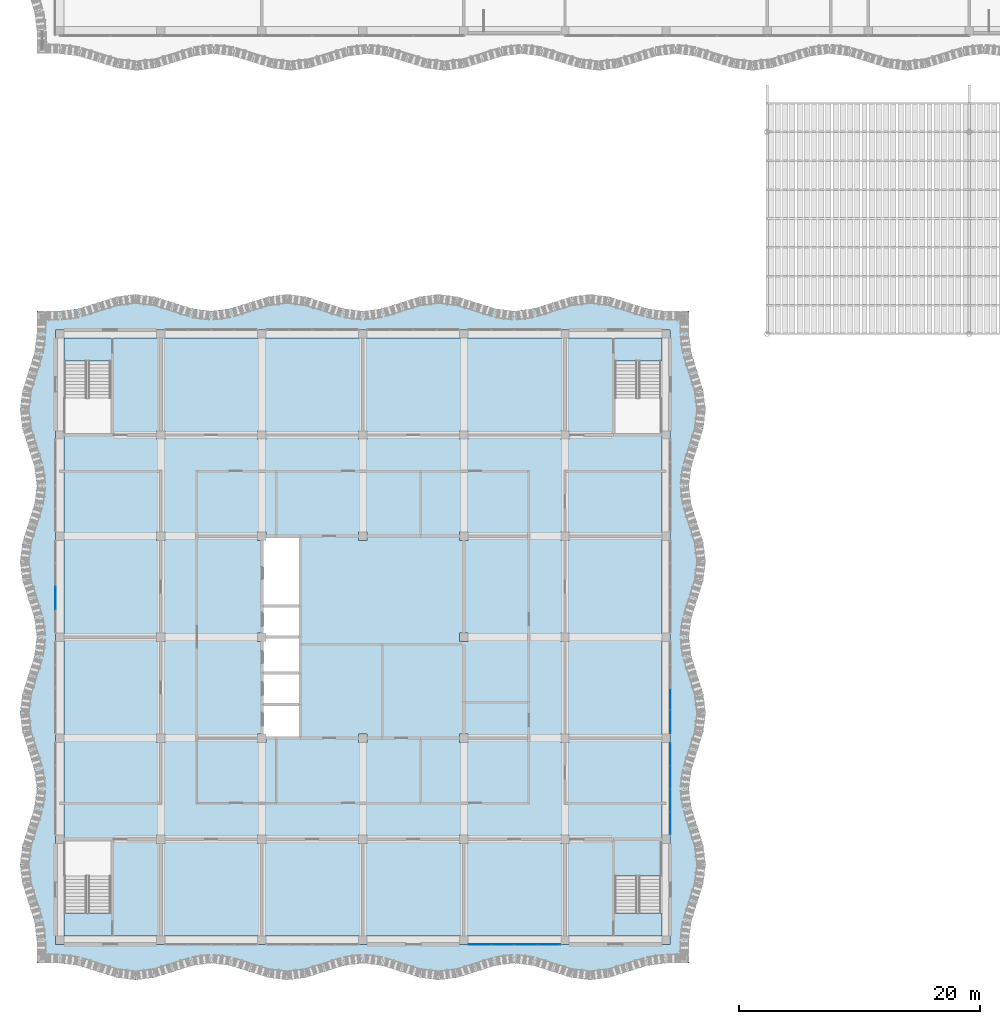
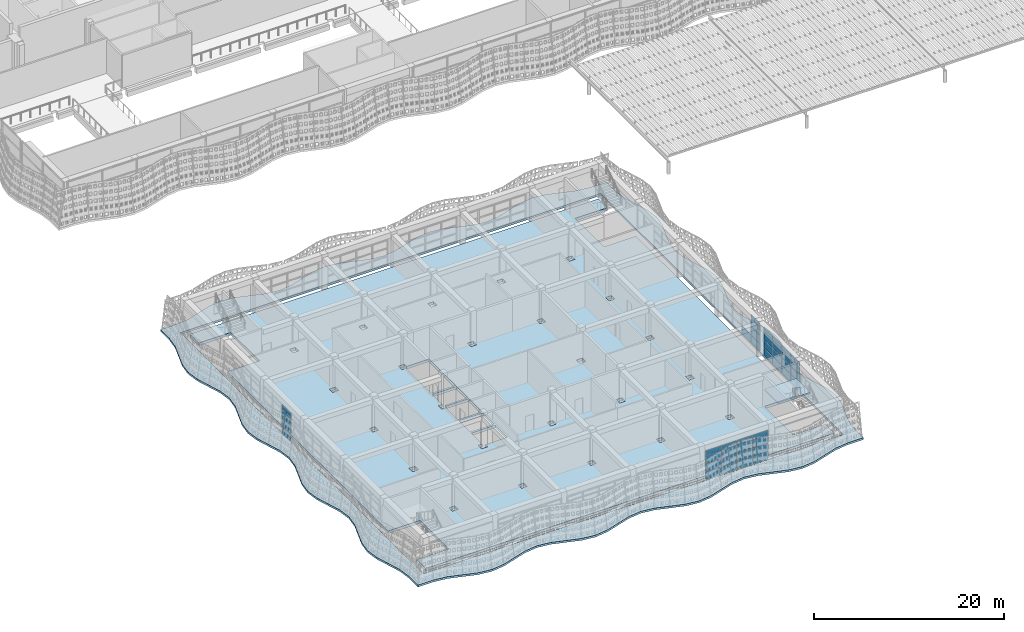
# One storey, part 62 of 162: 41 plates, 3 slabs, 5 elements without a shape of their own.
"""IFC4 building model written with IfcOpenShell, lengths in metres."""

from ifc_helpers import new_model, si_unit, direction, frame, origin, origin_2d, place, context, subcontext, project, spatial, polyline, rectangle, outline, extrude, material, layer, layer_set, type_object, element, aggregate, save


model = new_model("IFC4")

# Units and contexts
model_context = context("Model", 3, precision=1e-05, world=origin(), true_north=direction((0.0, 1.0)))
body_context = subcontext(model_context, "Body", "Model", "MODEL_VIEW")
ifc_project = project(units=[si_unit("LENGTHUNIT", "METRE"), si_unit("AREAUNIT", "SQUARE_METRE"), si_unit("VOLUMEUNIT", "CUBIC_METRE"), si_unit("PLANEANGLEUNIT", "RADIAN"), si_unit("MASSUNIT", "GRAM", prefix="KILO")], contexts=[model_context])

# Site, building, storey
site_placement = place(None, origin())
site = spatial("IfcSite", under=ifc_project, at=site_placement, CompositionType="ELEMENT")
building_placement = place(site_placement, origin())
building = spatial("IfcBuilding", under=site, at=building_placement, Name="Rain Tree Exposition and Congress Centre", CompositionType="ELEMENT")
storey_placement = place(building_placement, frame((0.0, 0.0, 6.0)))
storey = spatial("IfcBuildingStorey", under=building, at=storey_placement, Name="L01", CompositionType="ELEMENT", Elevation=6.0)

# Slab
ifc_material_1 = material(Name="Concrete C40/50", Category="concrete")
ifc_layer_1 = layer(ifc_material_1, 0.25)
ifc_layer_set_1 = layer_set([ifc_layer_1], Name="Concrete C40/50")
slab_type_1 = type_object("IfcSlabType", Name="Wave ledge slab 250", PredefinedType="FLOOR", material=ifc_layer_set_1)
slab_1_placement = place(storey_placement, frame((0.0, 0.0, -0.25)))
element("IfcSlab", 1, at=slab_1_placement, inside=storey, type_object=slab_type_1, Name="wing/ledge/L01/01", PredefinedType="FLOOR", context=body_context, shape_type="SweptSolid", body=[
    extrude(outline(polyline([(-1.900390625, -1.900390625), (0.0, -1.900390625), (1.574951171875, -2.105224609375), (3.14990234375, -2.600341796875), (4.72509765625, -3.09521484375), (6.300048828125, -3.30029296875), (7.875, -3.09521484375), (9.449951171875, -2.600341796875), (11.02490234375, -2.105224609375), (12.60009765625, -1.900390625), (14.175048828125, -2.105224609375), (15.75, -2.600341796875), (17.324951171875, -3.09521484375), (18.89990234375, -3.30029296875), (20.47509765625, -3.09521484375), (22.050048828125, -2.600341796875), (23.625, -2.105224609375), (25.199951171875, -1.900390625), (26.77490234375, -2.105224609375), (28.35009765625, -2.600341796875), (29.925048828125, -3.09521484375), (31.5, -3.30029296875), (33.074951171875, -3.09521484375), (34.64990234375, -2.600341796875), (36.22509765625, -2.105224609375), (37.800048828125, -1.900390625), (39.375, -2.105224609375), (40.949951171875, -2.600341796875), (42.52490234375, -3.09521484375), (44.10009765625, -3.30029296875), (45.675048828125, -3.09521484375), (47.25, -2.600341796875), (48.824951171875, -2.105224609375), (50.39990234375, -1.900390625), (52.30029296875, -1.900390625), (52.30029296875, 0.0), (52.50537109375, 1.574951171875), (53.000244140625, 3.14990234375), (53.495361328125, 4.72509765625), (53.7001953125, 6.300048828125), (53.495361328125, 7.875), (53.000244140625, 9.449951171875), (52.50537109375, 11.02490234375), (52.30029296875, 12.60009765625), (52.50537109375, 14.175048828125), (53.000244140625, 15.75), (53.495361328125, 17.324951171875), (53.7001953125, 18.89990234375), (53.495361328125, 20.47509765625), (53.000244140625, 22.050048828125), (52.50537109375, 23.625), (52.30029296875, 25.199951171875), (52.50537109375, 26.77490234375), (53.000244140625, 28.35009765625), (53.495361328125, 29.925048828125), (53.7001953125, 31.5), (53.495361328125, 33.074951171875), (53.000244140625, 34.64990234375), (52.50537109375, 36.22509765625), (52.30029296875, 37.800048828125), (52.50537109375, 39.375), (53.000244140625, 40.949951171875), (53.495361328125, 42.52490234375), (53.7001953125, 44.10009765625), (53.495361328125, 45.675048828125), (53.000244140625, 47.25), (52.50537109375, 48.824951171875), (52.30029296875, 50.39990234375), (52.30029296875, 52.30029296875), (50.39990234375, 52.30029296875), (48.824951171875, 52.50537109375), (47.25, 53.000244140625), (45.675048828125, 53.495361328125), (44.10009765625, 53.7001953125), (42.52490234375, 53.495361328125), (40.949951171875, 53.000244140625), (39.375, 52.50537109375), (37.800048828125, 52.30029296875), (36.22509765625, 52.50537109375), (34.64990234375, 53.000244140625), (33.074951171875, 53.495361328125), (31.5, 53.7001953125), (29.925048828125, 53.495361328125), (28.35009765625, 53.000244140625), (26.77490234375, 52.50537109375), (25.199951171875, 52.30029296875), (23.625, 52.50537109375), (22.050048828125, 53.000244140625), (20.47509765625, 53.495361328125), (18.89990234375, 53.7001953125), (17.324951171875, 53.495361328125), (15.75, 53.000244140625), (14.175048828125, 52.50537109375), (12.60009765625, 52.30029296875), (11.02490234375, 52.50537109375), (9.449951171875, 53.000244140625), (7.875, 53.495361328125), (6.300048828125, 53.7001953125), (4.72509765625, 53.495361328125), (3.14990234375, 53.000244140625), (1.574951171875, 52.50537109375), (0.0, 52.30029296875), (-1.900390625, 52.30029296875), (-1.900390625, 50.39990234375), (-2.105224609375, 48.824951171875), (-2.600341796875, 47.25), (-3.09521484375, 45.675048828125), (-3.30029296875, 44.10009765625), (-3.09521484375, 42.52490234375), (-2.600341796875, 40.949951171875), (-2.105224609375, 39.375), (-1.900390625, 37.800048828125), (-2.105224609375, 36.22509765625), (-2.600341796875, 34.64990234375), (-3.09521484375, 33.074951171875), (-3.30029296875, 31.5), (-3.09521484375, 29.925048828125), (-2.600341796875, 28.35009765625), (-2.105224609375, 26.77490234375), (-1.900390625, 25.199951171875), (-2.105224609375, 23.625), (-2.600341796875, 22.050048828125), (-3.09521484375, 20.47509765625), (-3.30029296875, 18.89990234375), (-3.09521484375, 17.324951171875), (-2.600341796875, 15.75), (-2.105224609375, 14.175048828125), (-1.900390625, 12.60009765625), (-2.105224609375, 11.02490234375), (-2.600341796875, 9.449951171875), (-3.09521484375, 7.875), (-3.30029296875, 6.300048828125), (-3.09521484375, 4.72509765625), (-2.600341796875, 3.14990234375), (-2.105224609375, 1.574951171875), (-1.900390625, 0.0), (-1.900390625, -1.900390625)]), holes=[polyline([(50.75, 50.75), (50.75, -0.35009765625), (-0.35009765625, -0.35009765625), (-0.35009765625, 50.75), (50.75, 50.75)])]), origin(), (0.0, 0.0, 1.0), 0.25),
])

# Curtain wall, plates
ifc_material_2 = material(Name="Aluminium curtain wall", Category="aluminium")
curtain_wall_type = type_object("IfcCurtainWallType", Name="Wing curtain wall 1925", PredefinedType="NOTDEFINED", material=ifc_material_2)
curtain_wall_1_placement = place(storey_placement, origin())
curtain_wall_1 = element("IfcCurtainWall", 2, at=curtain_wall_1_placement, inside=storey, type_object=curtain_wall_type, Name="Curtain wall CWW203", PredefinedType="NOTDEFINED")
ifc_material_3 = material(Name="Double glazed unit", Category="glass")
ifc_layer_2 = layer(ifc_material_3, 0.028076171875)
ifc_layer_set_2 = layer_set([ifc_layer_2], Name="Double glazed unit")
plate_type = type_object("IfcPlateType", Name="Wing glazing panel 28", PredefinedType="CURTAIN_PANEL", material=ifc_layer_set_2)
plate_1_placement = place(storey_placement, frame((34.927490234375, -0.35009765625, 0.06005859375), z_axis=(0.0, 0.0, 1.0), x_axis=(1.0, 0.0, 0.0)))
plate_1 = element("IfcPlate", 3, at=plate_1_placement, type_object=plate_type, Name="CWW203 panel 1.1", PredefinedType="CURTAIN_PANEL", context=body_context, shape_type="SweptSolid", body=[
    extrude(rectangle(XDim=1.8349609375, YDim=0.028076171875, at=origin_2d()), origin(), (0.0, 0.0, 1.0), 0.9599609375),
])
plate_2_placement = place(storey_placement, frame((34.927490234375, -0.35009765625, 1.080078125), z_axis=(0.0, 0.0, 1.0), x_axis=(1.0, 0.0, 0.0)))
plate_2 = element("IfcPlate", 4, at=plate_2_placement, type_object=plate_type, Name="CWW203 panel 1.2", PredefinedType="CURTAIN_PANEL", context=body_context, shape_type="SweptSolid", body=[
    extrude(rectangle(XDim=1.8349609375, YDim=0.028076171875, at=origin_2d()), origin(), (0.0, 0.0, 1.0), 0.989990234375),
])
plate_3_placement = place(storey_placement, frame((34.927490234375, -0.35009765625, 2.1298828125), z_axis=(0.0, 0.0, 1.0), x_axis=(1.0, 0.0, 0.0)))
plate_3 = element("IfcPlate", 5, at=plate_3_placement, type_object=plate_type, Name="CWW203 panel 1.3", PredefinedType="CURTAIN_PANEL", context=body_context, shape_type="SweptSolid", body=[
    extrude(rectangle(XDim=1.8349609375, YDim=0.028076171875, at=origin_2d()), origin(), (0.0, 0.0, 1.0), 0.989990234375),
])
plate_4_placement = place(storey_placement, frame((34.927490234375, -0.35009765625, 3.179931640625), z_axis=(0.0, 0.0, 1.0), x_axis=(1.0, 0.0, 0.0)))
plate_4 = element("IfcPlate", 6, at=plate_4_placement, type_object=plate_type, Name="CWW203 panel 1.4", PredefinedType="CURTAIN_PANEL", context=body_context, shape_type="SweptSolid", body=[
    extrude(rectangle(XDim=1.8349609375, YDim=0.028076171875, at=origin_2d()), origin(), (0.0, 0.0, 1.0), 0.56005859375),
])
plate_5_placement = place(storey_placement, frame((36.83740234375, -0.35009765625, 0.06005859375), z_axis=(0.0, 0.0, 1.0), x_axis=(1.0, 0.0, 0.0)))
plate_5 = element("IfcPlate", 7, at=plate_5_placement, type_object=plate_type, Name="CWW203 panel 2.1", PredefinedType="CURTAIN_PANEL", context=body_context, shape_type="SweptSolid", body=[
    extrude(rectangle(XDim=1.864990234375, YDim=0.028076171875, at=origin_2d()), origin(), (0.0, 0.0, 1.0), 0.9599609375),
])
plate_6_placement = place(storey_placement, frame((36.83740234375, -0.35009765625, 1.080078125), z_axis=(0.0, 0.0, 1.0), x_axis=(1.0, 0.0, 0.0)))
plate_6 = element("IfcPlate", 8, at=plate_6_placement, type_object=plate_type, Name="CWW203 panel 2.2", PredefinedType="CURTAIN_PANEL", context=body_context, shape_type="SweptSolid", body=[
    extrude(rectangle(XDim=1.864990234375, YDim=0.028076171875, at=origin_2d()), origin(), (0.0, 0.0, 1.0), 0.989990234375),
])
plate_7_placement = place(storey_placement, frame((36.83740234375, -0.35009765625, 2.1298828125), z_axis=(0.0, 0.0, 1.0), x_axis=(1.0, 0.0, 0.0)))
plate_7 = element("IfcPlate", 9, at=plate_7_placement, type_object=plate_type, Name="CWW203 panel 2.3", PredefinedType="CURTAIN_PANEL", context=body_context, shape_type="SweptSolid", body=[
    extrude(rectangle(XDim=1.864990234375, YDim=0.028076171875, at=origin_2d()), origin(), (0.0, 0.0, 1.0), 0.989990234375),
])
plate_8_placement = place(storey_placement, frame((36.83740234375, -0.35009765625, 3.179931640625), z_axis=(0.0, 0.0, 1.0), x_axis=(1.0, 0.0, 0.0)))
plate_8 = element("IfcPlate", 10, at=plate_8_placement, type_object=plate_type, Name="CWW203 panel 2.4", PredefinedType="CURTAIN_PANEL", context=body_context, shape_type="SweptSolid", body=[
    extrude(rectangle(XDim=1.864990234375, YDim=0.028076171875, at=origin_2d()), origin(), (0.0, 0.0, 1.0), 0.56005859375),
])
plate_9_placement = place(storey_placement, frame((38.762451171875, -0.35009765625, 0.06005859375), z_axis=(0.0, 0.0, 1.0), x_axis=(1.0, 0.0, 0.0)))
plate_9 = element("IfcPlate", 11, at=plate_9_placement, type_object=plate_type, Name="CWW203 panel 3.1", PredefinedType="CURTAIN_PANEL", context=body_context, shape_type="SweptSolid", body=[
    extrude(rectangle(XDim=1.864990234375, YDim=0.028076171875, at=origin_2d()), origin(), (0.0, 0.0, 1.0), 0.9599609375),
])
plate_10_placement = place(storey_placement, frame((38.762451171875, -0.35009765625, 1.080078125), z_axis=(0.0, 0.0, 1.0), x_axis=(1.0, 0.0, 0.0)))
plate_10 = element("IfcPlate", 12, at=plate_10_placement, type_object=plate_type, Name="CWW203 panel 3.2", PredefinedType="CURTAIN_PANEL", context=body_context, shape_type="SweptSolid", body=[
    extrude(rectangle(XDim=1.864990234375, YDim=0.028076171875, at=origin_2d()), origin(), (0.0, 0.0, 1.0), 0.989990234375),
])
plate_11_placement = place(storey_placement, frame((38.762451171875, -0.35009765625, 2.1298828125), z_axis=(0.0, 0.0, 1.0), x_axis=(1.0, 0.0, 0.0)))
plate_11 = element("IfcPlate", 13, at=plate_11_placement, type_object=plate_type, Name="CWW203 panel 3.3", PredefinedType="CURTAIN_PANEL", context=body_context, shape_type="SweptSolid", body=[
    extrude(rectangle(XDim=1.864990234375, YDim=0.028076171875, at=origin_2d()), origin(), (0.0, 0.0, 1.0), 0.989990234375),
])
plate_12_placement = place(storey_placement, frame((38.762451171875, -0.35009765625, 3.179931640625), z_axis=(0.0, 0.0, 1.0), x_axis=(1.0, 0.0, 0.0)))
plate_12 = element("IfcPlate", 14, at=plate_12_placement, type_object=plate_type, Name="CWW203 panel 3.4", PredefinedType="CURTAIN_PANEL", context=body_context, shape_type="SweptSolid", body=[
    extrude(rectangle(XDim=1.864990234375, YDim=0.028076171875, at=origin_2d()), origin(), (0.0, 0.0, 1.0), 0.56005859375),
])
plate_13_placement = place(storey_placement, frame((40.672607421875, -0.35009765625, 0.06005859375), z_axis=(0.0, 0.0, 1.0), x_axis=(1.0, 0.0, 0.0)))
plate_13 = element("IfcPlate", 15, at=plate_13_placement, type_object=plate_type, Name="CWW203 panel 4.1", PredefinedType="CURTAIN_PANEL", context=body_context, shape_type="SweptSolid", body=[
    extrude(rectangle(XDim=1.8349609375, YDim=0.028076171875, at=origin_2d()), origin(), (0.0, 0.0, 1.0), 0.9599609375),
])
plate_14_placement = place(storey_placement, frame((40.672607421875, -0.35009765625, 1.080078125), z_axis=(0.0, 0.0, 1.0), x_axis=(1.0, 0.0, 0.0)))
plate_14 = element("IfcPlate", 16, at=plate_14_placement, type_object=plate_type, Name="CWW203 panel 4.2", PredefinedType="CURTAIN_PANEL", context=body_context, shape_type="SweptSolid", body=[
    extrude(rectangle(XDim=1.8349609375, YDim=0.028076171875, at=origin_2d()), origin(), (0.0, 0.0, 1.0), 0.989990234375),
])
plate_15_placement = place(storey_placement, frame((40.672607421875, -0.35009765625, 2.1298828125), z_axis=(0.0, 0.0, 1.0), x_axis=(1.0, 0.0, 0.0)))
plate_15 = element("IfcPlate", 17, at=plate_15_placement, type_object=plate_type, Name="CWW203 panel 4.3", PredefinedType="CURTAIN_PANEL", context=body_context, shape_type="SweptSolid", body=[
    extrude(rectangle(XDim=1.8349609375, YDim=0.028076171875, at=origin_2d()), origin(), (0.0, 0.0, 1.0), 0.989990234375),
])
plate_16_placement = place(storey_placement, frame((40.672607421875, -0.35009765625, 3.179931640625), z_axis=(0.0, 0.0, 1.0), x_axis=(1.0, 0.0, 0.0)))
plate_16 = element("IfcPlate", 18, at=plate_16_placement, type_object=plate_type, Name="CWW203 panel 4.4", PredefinedType="CURTAIN_PANEL", context=body_context, shape_type="SweptSolid", body=[
    extrude(rectangle(XDim=1.8349609375, YDim=0.028076171875, at=origin_2d()), origin(), (0.0, 0.0, 1.0), 0.56005859375),
])
aggregate(curtain_wall_1, [plate_1, plate_2, plate_3, plate_4, plate_5, plate_6, plate_7, plate_8, plate_9, plate_10, plate_11, plate_12, plate_13, plate_14, plate_15, plate_16])

curtain_wall_2_placement = place(storey_placement, origin())
curtain_wall_2 = element("IfcCurtainWall", 19, at=curtain_wall_2_placement, inside=storey, type_object=curtain_wall_type, Name="Curtain wall CWW210", PredefinedType="NOTDEFINED")
plate_17_placement = place(storey_placement, frame((-0.35009765625, 28.4375, 0.06005859375), z_axis=(0.0, 0.0, 1.0), x_axis=(0.0, 1.0, 0.0)))
plate_17 = element("IfcPlate", 20, at=plate_17_placement, type_object=plate_type, Name="CWW210 panel 2.1", PredefinedType="CURTAIN_PANEL", context=body_context, shape_type="SweptSolid", body=[
    extrude(rectangle(XDim=1.864990234375, YDim=0.028076171875, at=origin_2d()), origin(), (0.0, 0.0, 1.0), 0.9599609375),
])
plate_18_placement = place(storey_placement, frame((-0.35009765625, 28.4375, 1.080078125), z_axis=(0.0, 0.0, 1.0), x_axis=(0.0, 1.0, 0.0)))
plate_18 = element("IfcPlate", 21, at=plate_18_placement, type_object=plate_type, Name="CWW210 panel 2.2", PredefinedType="CURTAIN_PANEL", context=body_context, shape_type="SweptSolid", body=[
    extrude(rectangle(XDim=1.864990234375, YDim=0.028076171875, at=origin_2d()), origin(), (0.0, 0.0, 1.0), 0.989990234375),
])
plate_19_placement = place(storey_placement, frame((-0.35009765625, 28.4375, 2.1298828125), z_axis=(0.0, 0.0, 1.0), x_axis=(0.0, 1.0, 0.0)))
plate_19 = element("IfcPlate", 22, at=plate_19_placement, type_object=plate_type, Name="CWW210 panel 2.3", PredefinedType="CURTAIN_PANEL", context=body_context, shape_type="SweptSolid", body=[
    extrude(rectangle(XDim=1.864990234375, YDim=0.028076171875, at=origin_2d()), origin(), (0.0, 0.0, 1.0), 0.989990234375),
])
plate_20_placement = place(storey_placement, frame((-0.35009765625, 28.4375, 3.179931640625), z_axis=(0.0, 0.0, 1.0), x_axis=(0.0, 1.0, 0.0)))
plate_20 = element("IfcPlate", 23, at=plate_20_placement, type_object=plate_type, Name="CWW210 panel 2.4", PredefinedType="CURTAIN_PANEL", context=body_context, shape_type="SweptSolid", body=[
    extrude(rectangle(XDim=1.864990234375, YDim=0.028076171875, at=origin_2d()), origin(), (0.0, 0.0, 1.0), 0.56005859375),
])
aggregate(curtain_wall_2, [plate_17, plate_18, plate_19, plate_20])

curtain_wall_3_placement = place(storey_placement, origin())
curtain_wall_3 = element("IfcCurtainWall", 24, at=curtain_wall_3_placement, inside=storey, type_object=curtain_wall_type, Name="Curtain wall CWW212", PredefinedType="NOTDEFINED")
plate_21_placement = place(storey_placement, frame((50.75, 9.7275390625, 0.06005859375), z_axis=(0.0, 0.0, 1.0), x_axis=(0.0, 1.0, 0.0)))
plate_21 = element("IfcPlate", 25, at=plate_21_placement, type_object=plate_type, Name="CWW212 panel 1.1", PredefinedType="CURTAIN_PANEL", context=body_context, shape_type="SweptSolid", body=[
    extrude(rectangle(XDim=1.8349609375, YDim=0.028076171875, at=origin_2d()), origin(), (0.0, 0.0, 1.0), 0.9599609375),
])
plate_22_placement = place(storey_placement, frame((50.75, 9.7275390625, 1.080078125), z_axis=(0.0, 0.0, 1.0), x_axis=(0.0, 1.0, 0.0)))
plate_22 = element("IfcPlate", 26, at=plate_22_placement, type_object=plate_type, Name="CWW212 panel 1.2", PredefinedType="CURTAIN_PANEL", context=body_context, shape_type="SweptSolid", body=[
    extrude(rectangle(XDim=1.8349609375, YDim=0.028076171875, at=origin_2d()), origin(), (0.0, 0.0, 1.0), 0.989990234375),
])
plate_23_placement = place(storey_placement, frame((50.75, 9.7275390625, 2.1298828125), z_axis=(0.0, 0.0, 1.0), x_axis=(0.0, 1.0, 0.0)))
plate_23 = element("IfcPlate", 27, at=plate_23_placement, type_object=plate_type, Name="CWW212 panel 1.3", PredefinedType="CURTAIN_PANEL", context=body_context, shape_type="SweptSolid", body=[
    extrude(rectangle(XDim=1.8349609375, YDim=0.028076171875, at=origin_2d()), origin(), (0.0, 0.0, 1.0), 0.989990234375),
])
plate_24_placement = place(storey_placement, frame((50.75, 9.7275390625, 3.179931640625), z_axis=(0.0, 0.0, 1.0), x_axis=(0.0, 1.0, 0.0)))
plate_24 = element("IfcPlate", 28, at=plate_24_placement, type_object=plate_type, Name="CWW212 panel 1.4", PredefinedType="CURTAIN_PANEL", context=body_context, shape_type="SweptSolid", body=[
    extrude(rectangle(XDim=1.8349609375, YDim=0.028076171875, at=origin_2d()), origin(), (0.0, 0.0, 1.0), 0.56005859375),
])
plate_25_placement = place(storey_placement, frame((50.75, 11.637451171875, 0.06005859375), z_axis=(0.0, 0.0, 1.0), x_axis=(0.0, 1.0, 0.0)))
plate_25 = element("IfcPlate", 29, at=plate_25_placement, type_object=plate_type, Name="CWW212 panel 2.1", PredefinedType="CURTAIN_PANEL", context=body_context, shape_type="SweptSolid", body=[
    extrude(rectangle(XDim=1.864990234375, YDim=0.028076171875, at=origin_2d()), origin(), (0.0, 0.0, 1.0), 0.9599609375),
])
plate_26_placement = place(storey_placement, frame((50.75, 11.637451171875, 1.080078125), z_axis=(0.0, 0.0, 1.0), x_axis=(0.0, 1.0, 0.0)))
plate_26 = element("IfcPlate", 30, at=plate_26_placement, type_object=plate_type, Name="CWW212 panel 2.2", PredefinedType="CURTAIN_PANEL", context=body_context, shape_type="SweptSolid", body=[
    extrude(rectangle(XDim=1.864990234375, YDim=0.028076171875, at=origin_2d()), origin(), (0.0, 0.0, 1.0), 0.989990234375),
])
plate_27_placement = place(storey_placement, frame((50.75, 11.637451171875, 2.1298828125), z_axis=(0.0, 0.0, 1.0), x_axis=(0.0, 1.0, 0.0)))
plate_27 = element("IfcPlate", 31, at=plate_27_placement, type_object=plate_type, Name="CWW212 panel 2.3", PredefinedType="CURTAIN_PANEL", context=body_context, shape_type="SweptSolid", body=[
    extrude(rectangle(XDim=1.864990234375, YDim=0.028076171875, at=origin_2d()), origin(), (0.0, 0.0, 1.0), 0.989990234375),
])
plate_28_placement = place(storey_placement, frame((50.75, 11.637451171875, 3.179931640625), z_axis=(0.0, 0.0, 1.0), x_axis=(0.0, 1.0, 0.0)))
plate_28 = element("IfcPlate", 32, at=plate_28_placement, type_object=plate_type, Name="CWW212 panel 2.4", PredefinedType="CURTAIN_PANEL", context=body_context, shape_type="SweptSolid", body=[
    extrude(rectangle(XDim=1.864990234375, YDim=0.028076171875, at=origin_2d()), origin(), (0.0, 0.0, 1.0), 0.56005859375),
])
plate_29_placement = place(storey_placement, frame((50.75, 13.5625, 0.06005859375), z_axis=(0.0, 0.0, 1.0), x_axis=(0.0, 1.0, 0.0)))
plate_29 = element("IfcPlate", 33, at=plate_29_placement, type_object=plate_type, Name="CWW212 panel 3.1", PredefinedType="CURTAIN_PANEL", context=body_context, shape_type="SweptSolid", body=[
    extrude(rectangle(XDim=1.864990234375, YDim=0.028076171875, at=origin_2d()), origin(), (0.0, 0.0, 1.0), 0.9599609375),
])
plate_30_placement = place(storey_placement, frame((50.75, 13.5625, 1.080078125), z_axis=(0.0, 0.0, 1.0), x_axis=(0.0, 1.0, 0.0)))
plate_30 = element("IfcPlate", 34, at=plate_30_placement, type_object=plate_type, Name="CWW212 panel 3.2", PredefinedType="CURTAIN_PANEL", context=body_context, shape_type="SweptSolid", body=[
    extrude(rectangle(XDim=1.864990234375, YDim=0.028076171875, at=origin_2d()), origin(), (0.0, 0.0, 1.0), 0.989990234375),
])
plate_31_placement = place(storey_placement, frame((50.75, 13.5625, 2.1298828125), z_axis=(0.0, 0.0, 1.0), x_axis=(0.0, 1.0, 0.0)))
plate_31 = element("IfcPlate", 35, at=plate_31_placement, type_object=plate_type, Name="CWW212 panel 3.3", PredefinedType="CURTAIN_PANEL", context=body_context, shape_type="SweptSolid", body=[
    extrude(rectangle(XDim=1.864990234375, YDim=0.028076171875, at=origin_2d()), origin(), (0.0, 0.0, 1.0), 0.989990234375),
])
plate_32_placement = place(storey_placement, frame((50.75, 13.5625, 3.179931640625), z_axis=(0.0, 0.0, 1.0), x_axis=(0.0, 1.0, 0.0)))
plate_32 = element("IfcPlate", 36, at=plate_32_placement, type_object=plate_type, Name="CWW212 panel 3.4", PredefinedType="CURTAIN_PANEL", context=body_context, shape_type="SweptSolid", body=[
    extrude(rectangle(XDim=1.864990234375, YDim=0.028076171875, at=origin_2d()), origin(), (0.0, 0.0, 1.0), 0.56005859375),
])
plate_33_placement = place(storey_placement, frame((50.75, 15.472412109375, 0.06005859375), z_axis=(0.0, 0.0, 1.0), x_axis=(0.0, 1.0, 0.0)))
plate_33 = element("IfcPlate", 37, at=plate_33_placement, type_object=plate_type, Name="CWW212 panel 4.1", PredefinedType="CURTAIN_PANEL", context=body_context, shape_type="SweptSolid", body=[
    extrude(rectangle(XDim=1.8349609375, YDim=0.028076171875, at=origin_2d()), origin(), (0.0, 0.0, 1.0), 0.9599609375),
])
plate_34_placement = place(storey_placement, frame((50.75, 15.472412109375, 1.080078125), z_axis=(0.0, 0.0, 1.0), x_axis=(0.0, 1.0, 0.0)))
plate_34 = element("IfcPlate", 38, at=plate_34_placement, type_object=plate_type, Name="CWW212 panel 4.2", PredefinedType="CURTAIN_PANEL", context=body_context, shape_type="SweptSolid", body=[
    extrude(rectangle(XDim=1.8349609375, YDim=0.028076171875, at=origin_2d()), origin(), (0.0, 0.0, 1.0), 0.989990234375),
])
plate_35_placement = place(storey_placement, frame((50.75, 15.472412109375, 2.1298828125), z_axis=(0.0, 0.0, 1.0), x_axis=(0.0, 1.0, 0.0)))
plate_35 = element("IfcPlate", 39, at=plate_35_placement, type_object=plate_type, Name="CWW212 panel 4.3", PredefinedType="CURTAIN_PANEL", context=body_context, shape_type="SweptSolid", body=[
    extrude(rectangle(XDim=1.8349609375, YDim=0.028076171875, at=origin_2d()), origin(), (0.0, 0.0, 1.0), 0.989990234375),
])
plate_36_placement = place(storey_placement, frame((50.75, 15.472412109375, 3.179931640625), z_axis=(0.0, 0.0, 1.0), x_axis=(0.0, 1.0, 0.0)))
plate_36 = element("IfcPlate", 40, at=plate_36_placement, type_object=plate_type, Name="CWW212 panel 4.4", PredefinedType="CURTAIN_PANEL", context=body_context, shape_type="SweptSolid", body=[
    extrude(rectangle(XDim=1.8349609375, YDim=0.028076171875, at=origin_2d()), origin(), (0.0, 0.0, 1.0), 0.56005859375),
])
aggregate(curtain_wall_3, [plate_21, plate_22, plate_23, plate_24, plate_25, plate_26, plate_27, plate_28, plate_29, plate_30, plate_31, plate_32, plate_33, plate_34, plate_35, plate_36])

curtain_wall_4_placement = place(storey_placement, origin())
curtain_wall_4 = element("IfcCurtainWall", 41, at=curtain_wall_4_placement, inside=storey, type_object=curtain_wall_type, Name="Curtain wall CWW213", PredefinedType="NOTDEFINED")
plate_37_placement = place(storey_placement, frame((50.75, 18.12744140625, 0.06005859375), z_axis=(0.0, 0.0, 1.0), x_axis=(0.0, 1.0, 0.0)))
plate_37 = element("IfcPlate", 42, at=plate_37_placement, type_object=plate_type, Name="CWW213 panel 1.1", PredefinedType="CURTAIN_PANEL", context=body_context, shape_type="SweptSolid", body=[
    extrude(rectangle(XDim=1.8349609375, YDim=0.028076171875, at=origin_2d()), origin(), (0.0, 0.0, 1.0), 0.9599609375),
])
plate_38_placement = place(storey_placement, frame((50.75, 18.12744140625, 1.080078125), z_axis=(0.0, 0.0, 1.0), x_axis=(0.0, 1.0, 0.0)))
plate_38 = element("IfcPlate", 43, at=plate_38_placement, type_object=plate_type, Name="CWW213 panel 1.2", PredefinedType="CURTAIN_PANEL", context=body_context, shape_type="SweptSolid", body=[
    extrude(rectangle(XDim=1.8349609375, YDim=0.028076171875, at=origin_2d()), origin(), (0.0, 0.0, 1.0), 0.989990234375),
])
plate_39_placement = place(storey_placement, frame((50.75, 18.12744140625, 2.1298828125), z_axis=(0.0, 0.0, 1.0), x_axis=(0.0, 1.0, 0.0)))
plate_39 = element("IfcPlate", 44, at=plate_39_placement, type_object=plate_type, Name="CWW213 panel 1.3", PredefinedType="CURTAIN_PANEL", context=body_context, shape_type="SweptSolid", body=[
    extrude(rectangle(XDim=1.8349609375, YDim=0.028076171875, at=origin_2d()), origin(), (0.0, 0.0, 1.0), 0.989990234375),
])
plate_40_placement = place(storey_placement, frame((50.75, 18.12744140625, 3.179931640625), z_axis=(0.0, 0.0, 1.0), x_axis=(0.0, 1.0, 0.0)))
plate_40 = element("IfcPlate", 45, at=plate_40_placement, type_object=plate_type, Name="CWW213 panel 1.4", PredefinedType="CURTAIN_PANEL", context=body_context, shape_type="SweptSolid", body=[
    extrude(rectangle(XDim=1.8349609375, YDim=0.028076171875, at=origin_2d()), origin(), (0.0, 0.0, 1.0), 0.56005859375),
])
plate_41_placement = place(storey_placement, frame((50.75, 20.03759765625, 0.06005859375), z_axis=(0.0, 0.0, 1.0), x_axis=(0.0, 1.0, 0.0)))
plate_41 = element("IfcPlate", 46, at=plate_41_placement, type_object=plate_type, Name="CWW213 panel 2.1", PredefinedType="CURTAIN_PANEL", context=body_context, shape_type="SweptSolid", body=[
    extrude(rectangle(XDim=1.864990234375, YDim=0.028076171875, at=origin_2d()), origin(), (0.0, 0.0, 1.0), 0.9599609375),
])
aggregate(curtain_wall_4, [plate_37, plate_38, plate_39, plate_40, plate_41])

# Slab
ifc_material_4 = material(Name="Precast concrete C50/60", Category="concrete")
ifc_layer_3 = layer(ifc_material_4, 0.35009765625)
ifc_layer_set_3 = layer_set([ifc_layer_3], Name="Precast concrete C50/60")
slab_type_2 = type_object("IfcSlabType", Name="Wing precast hollow-core floor 350", PredefinedType="FLOOR", material=ifc_layer_set_3)
slab_2_placement = place(storey_placement, frame((0.0, 0.0, -0.35009765625)))
element("IfcSlab", 47, at=slab_2_placement, inside=storey, type_object=slab_type_2, Name="wing/slab/L01/01", PredefinedType="FLOOR", context=body_context, shape_type="SweptSolid", body=[
    extrude(outline(polyline([(50.050048828125, 0.35009765625), (50.050048828125, 2.251953125), (46.14990234375, 2.251953125), (46.14990234375, 8.27490234375), (50.050048828125, 8.27490234375), (50.050048828125, 8.75), (50.050048828125, 16.449951171875), (50.050048828125, 17.14990234375), (50.050048828125, 24.85009765625), (50.050048828125, 25.550048828125), (50.050048828125, 33.25), (50.050048828125, 33.949951171875), (50.050048828125, 41.64990234375), (50.050048828125, 42.125), (46.14990234375, 42.125), (46.14990234375, 48.14794921875), (50.050048828125, 48.14794921875), (50.050048828125, 50.050048828125), (42.35009765625, 50.050048828125), (41.64990234375, 50.050048828125), (33.949951171875, 50.050048828125), (33.25, 50.050048828125), (25.550048828125, 50.050048828125), (24.85009765625, 50.050048828125), (17.14990234375, 50.050048828125), (16.449951171875, 50.050048828125), (8.75, 50.050048828125), (8.050048828125, 50.050048828125), (0.35009765625, 50.050048828125), (0.35009765625, 48.14794921875), (4.25, 48.14794921875), (4.25, 42.125), (0.35009765625, 42.125), (0.35009765625, 41.64990234375), (0.35009765625, 33.949951171875), (0.35009765625, 33.25), (0.35009765625, 25.550048828125), (0.35009765625, 24.85009765625), (0.35009765625, 17.14990234375), (0.35009765625, 16.449951171875), (0.35009765625, 8.75), (0.35009765625, 8.27490234375), (4.25, 8.27490234375), (4.25, 2.251953125), (0.35009765625, 2.251953125), (0.35009765625, 0.35009765625), (8.050048828125, 0.35009765625), (8.75, 0.35009765625), (16.449951171875, 0.35009765625), (17.14990234375, 0.35009765625), (24.85009765625, 0.35009765625), (25.550048828125, 0.35009765625), (33.25, 0.35009765625), (33.949951171875, 0.35009765625), (41.64990234375, 0.35009765625), (42.35009765625, 0.35009765625), (50.050048828125, 0.35009765625)]), holes=[polyline([(8.050048828125, 8.050048828125), (8.050048828125, 8.75), (8.75, 8.75), (8.75, 8.050048828125), (8.050048828125, 8.050048828125)]), polyline([(8.050048828125, 16.449951171875), (8.050048828125, 17.14990234375), (8.75, 17.14990234375), (8.75, 16.449951171875), (8.050048828125, 16.449951171875)]), polyline([(8.75, 24.85009765625), (8.050048828125, 24.85009765625), (8.050048828125, 25.550048828125), (8.75, 25.550048828125), (8.75, 24.85009765625)]), polyline([(8.050048828125, 33.25), (8.050048828125, 33.949951171875), (8.75, 33.949951171875), (8.75, 33.25), (8.050048828125, 33.25)]), polyline([(16.449951171875, 33.25), (16.449951171875, 33.949951171875), (17.14990234375, 33.949951171875), (17.14990234375, 33.47509765625), (19.875, 33.47509765625), (19.875, 27.925048828125), (16.949951171875, 27.925048828125), (16.949951171875, 33.25), (16.449951171875, 33.25)]), polyline([(8.050048828125, 41.64990234375), (8.050048828125, 42.35009765625), (8.75, 42.35009765625), (8.75, 41.64990234375), (8.050048828125, 41.64990234375)]), polyline([(17.14990234375, 41.64990234375), (16.449951171875, 41.64990234375), (16.449951171875, 42.35009765625), (17.14990234375, 42.35009765625), (17.14990234375, 41.64990234375)]), polyline([(33.25, 8.050048828125), (33.25, 8.75), (33.949951171875, 8.75), (33.949951171875, 8.050048828125), (33.25, 8.050048828125)]), polyline([(16.449951171875, 8.050048828125), (16.449951171875, 8.75), (17.14990234375, 8.75), (17.14990234375, 8.050048828125), (16.449951171875, 8.050048828125)]), polyline([(24.85009765625, 8.050048828125), (24.85009765625, 8.75), (25.550048828125, 8.75), (25.550048828125, 8.050048828125), (24.85009765625, 8.050048828125)]), polyline([(16.449951171875, 16.449951171875), (16.449951171875, 17.14990234375), (16.949951171875, 17.14990234375), (16.949951171875, 19.47509765625), (19.875, 19.47509765625), (19.875, 16.925048828125), (17.14990234375, 16.925048828125), (17.14990234375, 16.449951171875), (16.449951171875, 16.449951171875)]), polyline([(33.25, 16.449951171875), (33.25, 17.14990234375), (33.949951171875, 17.14990234375), (33.949951171875, 16.449951171875), (33.25, 16.449951171875)]), polyline([(24.85009765625, 16.449951171875), (24.85009765625, 17.14990234375), (25.550048828125, 17.14990234375), (25.550048828125, 16.449951171875), (24.85009765625, 16.449951171875)]), polyline([(16.949951171875, 19.72509765625), (16.949951171875, 22.074951171875), (19.875, 22.074951171875), (19.875, 19.72509765625), (16.949951171875, 19.72509765625)]), polyline([(16.949951171875, 22.324951171875), (16.949951171875, 24.85009765625), (16.449951171875, 24.85009765625), (16.449951171875, 25.550048828125), (16.949951171875, 25.550048828125), (16.949951171875, 27.675048828125), (19.875, 27.675048828125), (19.875, 25.324951171875), (17.14990234375, 25.324951171875), (17.14990234375, 25.074951171875), (19.875, 25.074951171875), (19.875, 22.324951171875), (16.949951171875, 22.324951171875)]), polyline([(33.25, 24.85009765625), (33.25, 25.550048828125), (33.949951171875, 25.550048828125), (33.949951171875, 24.85009765625), (33.25, 24.85009765625)]), polyline([(25.550048828125, 33.25), (24.85009765625, 33.25), (24.85009765625, 33.949951171875), (25.550048828125, 33.949951171875), (25.550048828125, 33.25)]), polyline([(24.85009765625, 41.64990234375), (24.85009765625, 42.35009765625), (25.550048828125, 42.35009765625), (25.550048828125, 41.64990234375), (24.85009765625, 41.64990234375)]), polyline([(42.35009765625, 8.050048828125), (41.64990234375, 8.050048828125), (41.64990234375, 8.75), (42.35009765625, 8.75), (42.35009765625, 8.050048828125)]), polyline([(41.64990234375, 16.449951171875), (41.64990234375, 17.14990234375), (42.35009765625, 17.14990234375), (42.35009765625, 16.449951171875), (41.64990234375, 16.449951171875)]), polyline([(41.64990234375, 24.85009765625), (41.64990234375, 25.550048828125), (42.35009765625, 25.550048828125), (42.35009765625, 24.85009765625), (41.64990234375, 24.85009765625)]), polyline([(41.64990234375, 33.25), (41.64990234375, 33.949951171875), (42.35009765625, 33.949951171875), (42.35009765625, 33.25), (41.64990234375, 33.25)]), polyline([(33.25, 33.25), (33.25, 33.949951171875), (33.949951171875, 33.949951171875), (33.949951171875, 33.25), (33.25, 33.25)]), polyline([(41.64990234375, 41.64990234375), (41.64990234375, 42.35009765625), (42.35009765625, 42.35009765625), (42.35009765625, 41.64990234375), (41.64990234375, 41.64990234375)]), polyline([(33.25, 41.64990234375), (33.25, 42.35009765625), (33.949951171875, 42.35009765625), (33.949951171875, 41.64990234375), (33.25, 41.64990234375)])]), origin(), (0.0, 0.0, 1.0), 0.35009765625),
])

# Stair, slab
ifc_material_5 = material(Name="Precast concrete C50/60", Category="concrete")
stair_type = type_object("IfcStairType", Name="Wing dog-leg stair 1850", PredefinedType="HALF_TURN_STAIR", material=ifc_material_5)
stair_placement = place(storey_placement, origin())
stair = element("IfcStair", 48, at=stair_placement, inside=storey, type_object=stair_type, Name="L01 ST-W2", PredefinedType="HALF_TURN_STAIR")
ifc_material_6 = material(Name="Precast concrete C50/60", Category="concrete")
ifc_layer_4 = layer(ifc_material_6, 0.199951171875)
ifc_layer_set_4 = layer_set([ifc_layer_4], Name="Precast concrete C50/60")
slab_type_3 = type_object("IfcSlabType", Name="Wing stair landing 200", PredefinedType="LANDING", material=ifc_layer_set_4)
slab_3_placement = place(storey_placement, frame((0.0, 0.0, 2.050048828125)))
slab_3 = element("IfcSlab", 49, at=slab_3_placement, type_object=slab_type_3, Name="ST-W2 landing 1", PredefinedType="LANDING", context=body_context, shape_type="SweptSolid", body=[
    extrude(outline(polyline([(46.125, 5.330078125), (46.125, 8.278076171875), (50.052978515625, 8.278076171875), (50.052978515625, 5.330078125), (46.125, 5.330078125)])), origin(), (0.0, 0.0, 1.0), 0.199951171875),
])
aggregate(stair, [slab_3])

save(model, "model.ifc")
